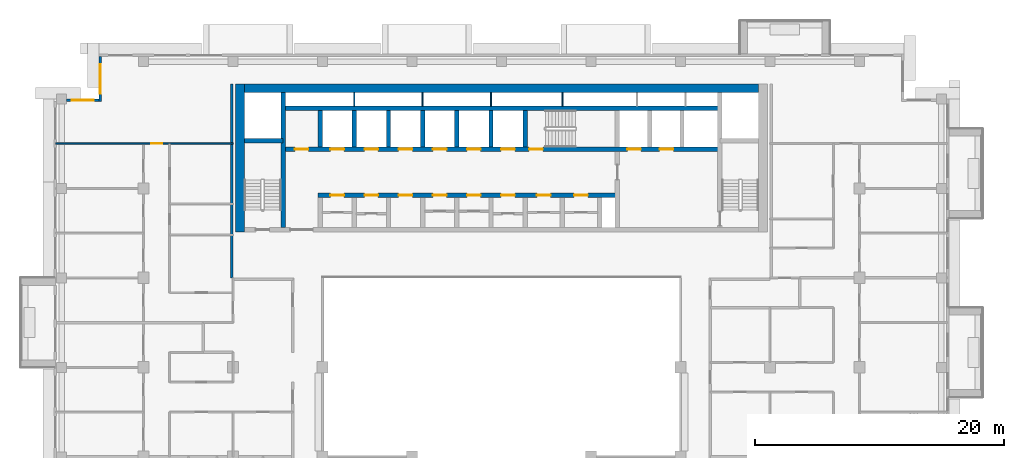
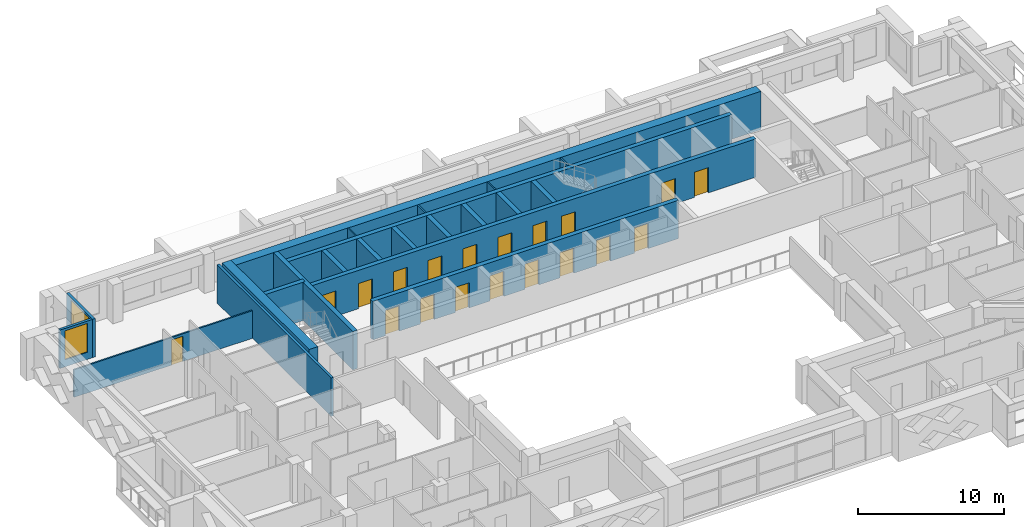
# One storey, part 10 of 20: 22 walls, 19 doors, 2 windows, 21 openings.
"""IFC4 building model written with IfcOpenShell, lengths in metres."""

from ifc_helpers import new_model, si_unit, direction, frame, frame_2d, origin, place, context, subcontext, project, spatial, rectangle, extrude, material, layer, layer_set, type_object, element, fill, save


model = new_model("IFC4")

# Units and contexts
model_context = context("Model", 3, precision=1e-05, world=origin(), true_north=direction((0.0, 1.0)))
body_context = subcontext(model_context, "Body", "Model", "MODEL_VIEW")
ifc_project = project(units=[si_unit("LENGTHUNIT", "METRE"), si_unit("AREAUNIT", "SQUARE_METRE"), si_unit("VOLUMEUNIT", "CUBIC_METRE"), si_unit("PLANEANGLEUNIT", "RADIAN"), si_unit("MASSUNIT", "GRAM", prefix="KILO")], contexts=[model_context])

# Site, building, storey
site_placement = place(None, origin())
site = spatial("IfcSite", under=ifc_project, at=site_placement, CompositionType="ELEMENT")
building_placement = place(site_placement, origin())
building = spatial("IfcBuilding", under=site, at=building_placement, Name="Saffron Iwan Residences", CompositionType="ELEMENT")
storey_placement = place(building_placement, frame((0.0, 0.0, 185.0)))
storey = spatial("IfcBuildingStorey", under=building, at=storey_placement, Name="L49", CompositionType="ELEMENT", Elevation=185.0)

# Wall, opening, window
ifc_material_1 = material(Name="Concrete C40/50", Category="concrete")
ifc_layer_1 = layer(ifc_material_1, 0.199951171875)
ifc_layer_set_1 = layer_set([ifc_layer_1], Name="Concrete C40/50")
wall_type_1 = type_object("IfcWallType", Name="EXTERNAL WALL 200", PredefinedType="SOLIDWALL", material=ifc_layer_set_1)
wall_1_placement = place(storey_placement, frame((18.10009765625, 80.199951171875, 0.0), z_axis=(0.0, 0.0, 1.0), x_axis=(0.0, -1.0, 0.0)))
wall_1 = element("IfcWall", 1, at=wall_1_placement, inside=storey, type_object=wall_type_1, Name="External wall L49 F6.0", PredefinedType="SOLIDWALL", context=body_context, shape_type="SweptSolid", body=[
    extrude(rectangle(XDim=3.599853515625, YDim=0.199951171875, at=frame_2d((1.7998046875, 0.0))), origin(), (0.0, 0.0, 1.0), 3.199951171875),
])
opening_1_placement = place(wall_1_placement, frame((0.60009765625, 0.0, 0.60009765625)))
opening_1 = element("IfcOpeningElement", 2, at=opening_1_placement, cuts=wall_1, Name="Opening W1", PredefinedType="OPENING", context=body_context, shape_type="SweptSolid", body=[
    extrude(rectangle(XDim=2.39990234375, YDim=2.39990234375, at=frame_2d((1.199951171875, 1.199951171875))), frame((0.0, 0.10986328125, 0.0), z_axis=(0.0, -1.0, 0.0), x_axis=(1.0, 0.0, 0.0)), (0.0, 0.0, 1.0), 0.219970703125),
])
ifc_material_2 = material(Name="Clear glass, laminated double glazed", Category="glass")
window_type_1 = type_object("IfcWindowType", Name="WINDOW 2400 x 2400", PartitioningType="DOUBLE_PANEL_VERTICAL", PredefinedType="WINDOW", material=ifc_material_2)
window_1_placement = place(opening_1_placement, origin())
window_1 = element("IfcWindow", 3, at=window_1_placement, inside=storey, type_object=window_type_1, Name="Window L49 F6.0", OverallHeight=2.39990234375, OverallWidth=2.39990234375, PartitioningType="DOUBLE_PANEL_VERTICAL", PredefinedType="WINDOW", context=body_context, shape_type="SweptSolid", body=[
    extrude(rectangle(XDim=2.39990234375, YDim=2.39990234375, at=frame_2d((1.199951171875, 1.199951171875))), frame((0.0, 0.030029296875, 0.0), z_axis=(0.0, -1.0, 0.0), x_axis=(1.0, 0.0, 0.0)), (0.0, 0.0, 1.0), 0.06005859375),
])
fill(opening_1, window_1)

wall_2_placement = place(storey_placement, frame((18.0, 76.699951171875, 0.0), z_axis=(0.0, 0.0, 1.0), x_axis=(-1.0, 0.0, 0.0)))
wall_2 = element("IfcWall", 4, at=wall_2_placement, inside=storey, type_object=wall_type_1, Name="External wall L49 F7.0", PredefinedType="SOLIDWALL", context=body_context, shape_type="SweptSolid", body=[
    extrude(rectangle(XDim=2.60009765625, YDim=0.199951171875, at=frame_2d((1.300048828125, 0.0))), origin(), (0.0, 0.0, 1.0), 3.199951171875),
])
opening_2_placement = place(wall_2_placement, frame((0.39990234375, 0.0, 0.60009765625)))
opening_2 = element("IfcOpeningElement", 5, at=opening_2_placement, cuts=wall_2, Name="Opening W8", PredefinedType="OPENING", context=body_context, shape_type="SweptSolid", body=[
    extrude(rectangle(XDim=1.800048828125, YDim=2.39990234375, at=frame_2d((0.89990234375, 1.199951171875))), frame((0.0, 0.10986328125, 0.0), z_axis=(0.0, -1.0, 0.0), x_axis=(1.0, 0.0, 0.0)), (0.0, 0.0, 1.0), 0.219970703125),
])
window_type_2 = type_object("IfcWindowType", Name="WINDOW 1800 x 2400", PartitioningType="DOUBLE_PANEL_VERTICAL", PredefinedType="WINDOW", material=ifc_material_2)
window_2_placement = place(opening_2_placement, origin())
window_2 = element("IfcWindow", 6, at=window_2_placement, inside=storey, type_object=window_type_2, Name="Window L49 F7.0", OverallHeight=2.39990234375, OverallWidth=1.800048828125, PartitioningType="DOUBLE_PANEL_VERTICAL", PredefinedType="WINDOW", context=body_context, shape_type="SweptSolid", body=[
    extrude(rectangle(XDim=1.800048828125, YDim=2.39990234375, at=frame_2d((0.89990234375, 1.199951171875))), frame((0.0, 0.030029296875, 0.0), z_axis=(0.0, -1.0, 0.0), x_axis=(1.0, 0.0, 0.0)), (0.0, 0.0, 1.0), 0.06005859375),
])
fill(opening_2, window_2)

# Wall, opening, door
ifc_material_3 = material(Name="Gypsum board partition")
ifc_layer_2 = layer(ifc_material_3, 0.1201171875)
ifc_layer_set_2 = layer_set([ifc_layer_2], Name="Gypsum board partition")
wall_type_2 = type_object("IfcWallType", Name="Flat partition 120", PredefinedType="PARTITIONING", material=ifc_layer_set_2)
wall_3_placement = place(storey_placement, frame((14.52490234375, 73.199951171875, 0.0), z_axis=(0.0, 0.0, 1.0), x_axis=(1.0, 0.0, 0.0)))
wall_3 = element("IfcWall", 7, at=wall_3_placement, inside=storey, type_object=wall_type_2, Name="W-L49-PART-h73.2-14.525", PredefinedType="PARTITIONING", context=body_context, shape_type="SweptSolid", body=[
    extrude(rectangle(XDim=14.275146484375, YDim=0.1201171875, at=frame_2d((7.1376953125, 0.0))), origin(), (0.0, 0.0, 1.0), 2.300048828125),
])
opening_3_placement = place(wall_3_placement, frame((7.675048828125, 0.0, 0.0)))
opening_3 = element("IfcOpeningElement", 8, at=opening_3_placement, cuts=wall_3, Name="Opening FD2", PredefinedType="OPENING", context=body_context, shape_type="SweptSolid", body=[
    extrude(rectangle(XDim=0.89990234375, YDim=2.10009765625, at=frame_2d((0.449951171875, 1.050048828125))), frame((0.0, 0.070068359375, 0.0), z_axis=(0.0, -1.0, 0.0), x_axis=(1.0, 0.0, 0.0)), (0.0, 0.0, 1.0), 0.14013671875),
])
ifc_material_4 = material(Name="Timber door", Category="wood")
door_type_1 = type_object("IfcDoorType", Name="Flat door 900", OperationType="NOTDEFINED", PredefinedType="DOOR", material=ifc_material_4)
door_1_placement = place(opening_3_placement, origin())
door_1 = element("IfcDoor", 9, at=door_1_placement, inside=storey, type_object=door_type_1, Name="Door L49-030", OperationType="SINGLE_SWING_RIGHT", OverallHeight=2.10009765625, OverallWidth=0.89990234375, PredefinedType="DOOR", context=body_context, shape_type="SweptSolid", body=[
    extrude(rectangle(XDim=0.89990234375, YDim=2.10009765625, at=frame_2d((0.449951171875, 1.050048828125))), frame((0.0, 0.02490234375, 0.0), z_axis=(0.0, -1.0, 0.0), x_axis=(1.0, 0.0, 0.0)), (0.0, 0.0, 1.0), 0.050048828125),
])
fill(opening_3, door_1)

# Walls
ifc_material_5 = material(Name="Fire-rated gypsum board wall")
ifc_layer_3 = layer(ifc_material_5, 0.199951171875)
ifc_layer_set_3 = layer_set([ifc_layer_3], Name="Fire-rated gypsum board wall")
wall_type_3 = type_object("IfcWallType", Name="Gallery wall 200", PredefinedType="SOLIDWALL", material=ifc_layer_set_3)
wall_4_placement = place(storey_placement, frame((28.699951171875, 62.39990234375, 0.0), z_axis=(0.0, 0.0, 1.0), x_axis=(0.0, 1.0, 0.0)))
element("IfcWall", 10, at=wall_4_placement, inside=storey, type_object=wall_type_3, Name="W-L49-CORR-v28.8-62.4", PredefinedType="SOLIDWALL", context=body_context, shape_type="SweptSolid", body=[
    extrude(rectangle(XDim=15.60009765625, YDim=0.199951171875, at=frame_2d((7.800048828125, 0.0))), origin(), (0.0, 0.0, 1.0), 3.199951171875),
])
ifc_material_6 = material(Name="Fire-rated plasterboard partition")
ifc_layer_4 = layer(ifc_material_6, 0.10009765625)
ifc_layer_set_4 = layer_set([ifc_layer_4], Name="Fire-rated plasterboard partition")
wall_type_4 = type_object("IfcWallType", Name="Riser partition 100", PredefinedType="PARTITIONING", material=ifc_layer_set_4)
for number, where, z_axis, x_axis, name in (
    (11, (38.550048828125, 76.22509765625, 0.0), (0.0, 0.0, 1.0), (0.0, 1.0, 0.0), "Core partition P08"),
    (12, (44.050048828125, 76.22509765625, 0.0), (0.0, 0.0, 1.0), (0.0, 1.0, 0.0), "Core partition P09"),
    (13, (49.550048828125, 76.22509765625, 0.0), (0.0, 0.0, 1.0), (0.0, 1.0, 0.0), "Core partition P10"),
    (14, (55.300048828125, 76.22509765625, 0.0), (0.0, 0.0, 1.0), (0.0, 1.0, 0.0), "Core partition P11"),
):
    element("IfcWall", number, at=place(storey_placement, frame(where, z_axis=z_axis, x_axis=x_axis)), inside=storey, type_object=wall_type_4, Name=name, PredefinedType="PARTITIONING", context=body_context, shape_type="SweptSolid", body=[
        extrude(rectangle(XDim=1.074951171875, YDim=0.10009765625, at=frame_2d((0.53759765625, 0.0))), origin(), (0.0, 0.0, 1.0), 3.199951171875),
    ])

# Wall, openings, doors
ifc_material_7 = material(Name="Concrete C50/60", Category="concrete")
ifc_layer_5 = layer(ifc_material_7, 0.35009765625)
ifc_layer_set_5 = layer_set([ifc_layer_5], Name="Concrete C50/60")
wall_type_5 = type_object("IfcWallType", Name="WALL CORE 350 C50/60 3200 HIGH", PredefinedType="SHEAR", material=ifc_layer_set_5)
wall_5_placement = place(storey_placement, frame((35.625, 69.050048828125, 0.0), z_axis=(0.0, 0.0, 1.0), x_axis=(1.0, 0.0, 0.0)))
wall_5 = element("IfcWall", 15, at=wall_5_placement, inside=storey, type_object=wall_type_5, Name="Core wall", PredefinedType="SHEAR", context=body_context, shape_type="SweptSolid", body=[
    extrude(rectangle(XDim=24.10009765625, YDim=0.35009765625, at=frame_2d((12.050048828125, 0.0))), origin(), (0.0, 0.0, 1.0), 3.199951171875),
])
opening_4_placement = place(wall_5_placement, frame((1.0, 0.0, 0.0)))
opening_4 = element("IfcOpeningElement", 16, at=opening_4_placement, cuts=wall_5, Name="Opening SR", PredefinedType="OPENING", context=body_context, shape_type="SweptSolid", body=[
    extrude(rectangle(XDim=1.10009765625, YDim=2.10009765625, at=frame_2d((0.550048828125, 1.050048828125))), frame((0.0, 0.18505859375, 0.0), z_axis=(0.0, -1.0, 0.0), x_axis=(1.0, 0.0, 0.0)), (0.0, 0.0, 1.0), 0.3701171875),
])
opening_5_placement = place(wall_5_placement, frame((3.75, 0.0, 0.0)))
opening_5 = element("IfcOpeningElement", 17, at=opening_5_placement, cuts=wall_5, Name="Opening SR", PredefinedType="OPENING", context=body_context, shape_type="SweptSolid", body=[
    extrude(rectangle(XDim=1.10009765625, YDim=2.10009765625, at=frame_2d((0.550048828125, 1.050048828125))), frame((0.0, 0.18505859375, 0.0), z_axis=(0.0, -1.0, 0.0), x_axis=(1.0, 0.0, 0.0)), (0.0, 0.0, 1.0), 0.3701171875),
])
opening_6_placement = place(wall_5_placement, frame((6.5, 0.0, 0.0)))
opening_6 = element("IfcOpeningElement", 18, at=opening_6_placement, cuts=wall_5, Name="Opening SR", PredefinedType="OPENING", context=body_context, shape_type="SweptSolid", body=[
    extrude(rectangle(XDim=1.10009765625, YDim=2.10009765625, at=frame_2d((0.550048828125, 1.050048828125))), frame((0.0, 0.18505859375, 0.0), z_axis=(0.0, -1.0, 0.0), x_axis=(1.0, 0.0, 0.0)), (0.0, 0.0, 1.0), 0.3701171875),
])
opening_7_placement = place(wall_5_placement, frame((9.25, 0.0, 0.0)))
opening_7 = element("IfcOpeningElement", 19, at=opening_7_placement, cuts=wall_5, Name="Opening SR", PredefinedType="OPENING", context=body_context, shape_type="SweptSolid", body=[
    extrude(rectangle(XDim=1.10009765625, YDim=2.10009765625, at=frame_2d((0.550048828125, 1.050048828125))), frame((0.0, 0.18505859375, 0.0), z_axis=(0.0, -1.0, 0.0), x_axis=(1.0, 0.0, 0.0)), (0.0, 0.0, 1.0), 0.3701171875),
])
opening_8_placement = place(wall_5_placement, frame((12.0, 0.0, 0.0)))
opening_8 = element("IfcOpeningElement", 20, at=opening_8_placement, cuts=wall_5, Name="Opening SR", PredefinedType="OPENING", context=body_context, shape_type="SweptSolid", body=[
    extrude(rectangle(XDim=1.10009765625, YDim=2.10009765625, at=frame_2d((0.550048828125, 1.050048828125))), frame((0.0, 0.18505859375, 0.0), z_axis=(0.0, -1.0, 0.0), x_axis=(1.0, 0.0, 0.0)), (0.0, 0.0, 1.0), 0.3701171875),
])
opening_9_placement = place(wall_5_placement, frame((14.75, 0.0, 0.0)))
opening_9 = element("IfcOpeningElement", 21, at=opening_9_placement, cuts=wall_5, Name="Opening SR", PredefinedType="OPENING", context=body_context, shape_type="SweptSolid", body=[
    extrude(rectangle(XDim=1.10009765625, YDim=2.10009765625, at=frame_2d((0.550048828125, 1.050048828125))), frame((0.0, 0.18505859375, 0.0), z_axis=(0.0, -1.0, 0.0), x_axis=(1.0, 0.0, 0.0)), (0.0, 0.0, 1.0), 0.3701171875),
])
opening_10_placement = place(wall_5_placement, frame((17.625, 0.0, 0.0)))
opening_10 = element("IfcOpeningElement", 22, at=opening_10_placement, cuts=wall_5, Name="Opening SR", PredefinedType="OPENING", context=body_context, shape_type="SweptSolid", body=[
    extrude(rectangle(XDim=1.10009765625, YDim=2.10009765625, at=frame_2d((0.550048828125, 1.050048828125))), frame((0.0, 0.18505859375, 0.0), z_axis=(0.0, -1.0, 0.0), x_axis=(1.0, 0.0, 0.0)), (0.0, 0.0, 1.0), 0.3701171875),
])
opening_11_placement = place(wall_5_placement, frame((20.625, 0.0, 0.0)))
opening_11 = element("IfcOpeningElement", 23, at=opening_11_placement, cuts=wall_5, Name="Opening SR", PredefinedType="OPENING", context=body_context, shape_type="SweptSolid", body=[
    extrude(rectangle(XDim=1.10009765625, YDim=2.10009765625, at=frame_2d((0.550048828125, 1.050048828125))), frame((0.0, 0.18505859375, 0.0), z_axis=(0.0, -1.0, 0.0), x_axis=(1.0, 0.0, 0.0)), (0.0, 0.0, 1.0), 0.3701171875),
])
ifc_material_8 = material(Name="Steel fire door", Category="steel")
door_type_2 = type_object("IfcDoorType", Name="Service door 1100", OperationType="NOTDEFINED", PredefinedType="DOOR", material=ifc_material_8)
door_2_placement = place(opening_4_placement, origin())
door_2 = element("IfcDoor", 24, at=door_2_placement, inside=storey, type_object=door_type_2, Name="Door Trolley store", OperationType="SINGLE_SWING_RIGHT", OverallHeight=2.10009765625, OverallWidth=1.10009765625, PredefinedType="DOOR", context=body_context, shape_type="SweptSolid", body=[
    extrude(rectangle(XDim=1.10009765625, YDim=2.10009765625, at=frame_2d((0.550048828125, 1.050048828125))), frame((0.0, 0.02490234375, 0.0), z_axis=(0.0, -1.0, 0.0), x_axis=(1.0, 0.0, 0.0)), (0.0, 0.0, 1.0), 0.050048828125),
])
fill(opening_4, door_2)
door_3_placement = place(opening_5_placement, origin())
door_3 = element("IfcDoor", 25, at=door_3_placement, inside=storey, type_object=door_type_2, Name="Door Communications room", OperationType="SINGLE_SWING_LEFT", OverallHeight=2.10009765625, OverallWidth=1.10009765625, PredefinedType="DOOR", context=body_context, shape_type="SweptSolid", body=[
    extrude(rectangle(XDim=1.10009765625, YDim=2.10009765625, at=frame_2d((0.550048828125, 1.050048828125))), frame((0.0, 0.02490234375, 0.0), z_axis=(0.0, -1.0, 0.0), x_axis=(1.0, 0.0, 0.0)), (0.0, 0.0, 1.0), 0.050048828125),
])
fill(opening_5, door_3)
door_4_placement = place(opening_6_placement, origin())
door_4 = element("IfcDoor", 26, at=door_4_placement, inside=storey, type_object=door_type_2, Name="Door Switch room", OperationType="SINGLE_SWING_RIGHT", OverallHeight=2.10009765625, OverallWidth=1.10009765625, PredefinedType="DOOR", context=body_context, shape_type="SweptSolid", body=[
    extrude(rectangle(XDim=1.10009765625, YDim=2.10009765625, at=frame_2d((0.550048828125, 1.050048828125))), frame((0.0, 0.02490234375, 0.0), z_axis=(0.0, -1.0, 0.0), x_axis=(1.0, 0.0, 0.0)), (0.0, 0.0, 1.0), 0.050048828125),
])
fill(opening_6, door_4)
door_5_placement = place(opening_7_placement, origin())
door_5 = element("IfcDoor", 27, at=door_5_placement, inside=storey, type_object=door_type_2, Name="Door Furniture store", OperationType="SINGLE_SWING_LEFT", OverallHeight=2.10009765625, OverallWidth=1.10009765625, PredefinedType="DOOR", context=body_context, shape_type="SweptSolid", body=[
    extrude(rectangle(XDim=1.10009765625, YDim=2.10009765625, at=frame_2d((0.550048828125, 1.050048828125))), frame((0.0, 0.02490234375, 0.0), z_axis=(0.0, -1.0, 0.0), x_axis=(1.0, 0.0, 0.0)), (0.0, 0.0, 1.0), 0.050048828125),
])
fill(opening_7, door_5)
door_6_placement = place(opening_8_placement, origin())
door_6 = element("IfcDoor", 28, at=door_6_placement, inside=storey, type_object=door_type_2, Name="Door Housekeeping store", OperationType="SINGLE_SWING_RIGHT", OverallHeight=2.10009765625, OverallWidth=1.10009765625, PredefinedType="DOOR", context=body_context, shape_type="SweptSolid", body=[
    extrude(rectangle(XDim=1.10009765625, YDim=2.10009765625, at=frame_2d((0.550048828125, 1.050048828125))), frame((0.0, 0.02490234375, 0.0), z_axis=(0.0, -1.0, 0.0), x_axis=(1.0, 0.0, 0.0)), (0.0, 0.0, 1.0), 0.050048828125),
])
fill(opening_8, door_6)
door_7_placement = place(opening_9_placement, origin())
door_7 = element("IfcDoor", 29, at=door_7_placement, inside=storey, type_object=door_type_2, Name="Door Cleaner's store", OperationType="SINGLE_SWING_LEFT", OverallHeight=2.10009765625, OverallWidth=1.10009765625, PredefinedType="DOOR", context=body_context, shape_type="SweptSolid", body=[
    extrude(rectangle(XDim=1.10009765625, YDim=2.10009765625, at=frame_2d((0.550048828125, 1.050048828125))), frame((0.0, 0.02490234375, 0.0), z_axis=(0.0, -1.0, 0.0), x_axis=(1.0, 0.0, 0.0)), (0.0, 0.0, 1.0), 0.050048828125),
])
fill(opening_9, door_7)
door_8_placement = place(opening_10_placement, origin())
door_8 = element("IfcDoor", 30, at=door_8_placement, inside=storey, type_object=door_type_2, Name="Door Electrical room", OperationType="SINGLE_SWING_RIGHT", OverallHeight=2.10009765625, OverallWidth=1.10009765625, PredefinedType="DOOR", context=body_context, shape_type="SweptSolid", body=[
    extrude(rectangle(XDim=1.10009765625, YDim=2.10009765625, at=frame_2d((0.550048828125, 1.050048828125))), frame((0.0, 0.02490234375, 0.0), z_axis=(0.0, -1.0, 0.0), x_axis=(1.0, 0.0, 0.0)), (0.0, 0.0, 1.0), 0.050048828125),
])
fill(opening_10, door_8)
door_9_placement = place(opening_11_placement, origin())
door_9 = element("IfcDoor", 31, at=door_9_placement, inside=storey, type_object=door_type_2, Name="Door Luggage store", OperationType="SINGLE_SWING_RIGHT", OverallHeight=2.10009765625, OverallWidth=1.10009765625, PredefinedType="DOOR", context=body_context, shape_type="SweptSolid", body=[
    extrude(rectangle(XDim=1.10009765625, YDim=2.10009765625, at=frame_2d((0.550048828125, 1.050048828125))), frame((0.0, 0.02490234375, 0.0), z_axis=(0.0, -1.0, 0.0), x_axis=(1.0, 0.0, 0.0)), (0.0, 0.0, 1.0), 0.050048828125),
])
fill(opening_11, door_9)

wall_6_placement = place(storey_placement, frame((32.824951171875, 72.75, 0.0), z_axis=(0.0, 0.0, 1.0), x_axis=(1.0, 0.0, 0.0)))
wall_6 = element("IfcWall", 32, at=wall_6_placement, inside=storey, type_object=wall_type_5, Name="Core wall", PredefinedType="SHEAR", context=body_context, shape_type="SweptSolid", body=[
    extrude(rectangle(XDim=35.150146484375, YDim=0.35009765625, at=frame_2d((17.5751953125, 0.0))), origin(), (0.0, 0.0, 1.0), 3.199951171875),
])
opening_12_placement = place(wall_6_placement, frame((19.800048828125, 0.0, 0.0)))
opening_12 = element("IfcOpeningElement", 33, at=opening_12_placement, cuts=wall_6, Name="Opening SD", PredefinedType="OPENING", context=body_context, shape_type="SweptSolid", body=[
    extrude(rectangle(XDim=1.10009765625, YDim=2.10009765625, at=frame_2d((0.550048828125, 1.050048828125))), frame((0.0, 0.18505859375, 0.0), z_axis=(0.0, -1.0, 0.0), x_axis=(1.0, 0.0, 0.0)), (0.0, 0.0, 1.0), 0.3701171875),
])
opening_13_placement = place(wall_6_placement, frame((27.699951171875, 0.0, 0.0)))
opening_13 = element("IfcOpeningElement", 34, at=opening_13_placement, cuts=wall_6, Name="Opening LD", PredefinedType="OPENING", context=body_context, shape_type="SweptSolid", body=[
    extrude(rectangle(XDim=1.10009765625, YDim=2.10009765625, at=frame_2d((0.550048828125, 1.050048828125))), frame((0.0, 0.18505859375, 0.0), z_axis=(0.0, -1.0, 0.0), x_axis=(1.0, 0.0, 0.0)), (0.0, 0.0, 1.0), 0.3701171875),
])
opening_14_placement = place(wall_6_placement, frame((30.300048828125, 0.0, 0.0)))
opening_14 = element("IfcOpeningElement", 35, at=opening_14_placement, cuts=wall_6, Name="Opening LD", PredefinedType="OPENING", context=body_context, shape_type="SweptSolid", body=[
    extrude(rectangle(XDim=1.10009765625, YDim=2.10009765625, at=frame_2d((0.550048828125, 1.050048828125))), frame((0.0, 0.18505859375, 0.0), z_axis=(0.0, -1.0, 0.0), x_axis=(1.0, 0.0, 0.0)), (0.0, 0.0, 1.0), 0.3701171875),
])
opening_15_placement = place(wall_6_placement, frame((3.800048828125, 0.0, 0.0)))
opening_15 = element("IfcOpeningElement", 36, at=opening_15_placement, cuts=wall_6, Name="Opening LD", PredefinedType="OPENING", context=body_context, shape_type="SweptSolid", body=[
    extrude(rectangle(XDim=1.10009765625, YDim=2.10009765625, at=frame_2d((0.550048828125, 1.050048828125))), frame((0.0, 0.18505859375, 0.0), z_axis=(0.0, -1.0, 0.0), x_axis=(1.0, 0.0, 0.0)), (0.0, 0.0, 1.0), 0.3701171875),
])
opening_16_placement = place(wall_6_placement, frame((6.550048828125, 0.0, 0.0)))
opening_16 = element("IfcOpeningElement", 37, at=opening_16_placement, cuts=wall_6, Name="Opening LD", PredefinedType="OPENING", context=body_context, shape_type="SweptSolid", body=[
    extrude(rectangle(XDim=1.10009765625, YDim=2.10009765625, at=frame_2d((0.550048828125, 1.050048828125))), frame((0.0, 0.18505859375, 0.0), z_axis=(0.0, -1.0, 0.0), x_axis=(1.0, 0.0, 0.0)), (0.0, 0.0, 1.0), 0.3701171875),
])
opening_17_placement = place(wall_6_placement, frame((9.300048828125, 0.0, 0.0)))
opening_17 = element("IfcOpeningElement", 38, at=opening_17_placement, cuts=wall_6, Name="Opening LD", PredefinedType="OPENING", context=body_context, shape_type="SweptSolid", body=[
    extrude(rectangle(XDim=1.10009765625, YDim=2.10009765625, at=frame_2d((0.550048828125, 1.050048828125))), frame((0.0, 0.18505859375, 0.0), z_axis=(0.0, -1.0, 0.0), x_axis=(1.0, 0.0, 0.0)), (0.0, 0.0, 1.0), 0.3701171875),
])
opening_18_placement = place(wall_6_placement, frame((12.050048828125, 0.0, 0.0)))
opening_18 = element("IfcOpeningElement", 39, at=opening_18_placement, cuts=wall_6, Name="Opening LD", PredefinedType="OPENING", context=body_context, shape_type="SweptSolid", body=[
    extrude(rectangle(XDim=1.10009765625, YDim=2.10009765625, at=frame_2d((0.550048828125, 1.050048828125))), frame((0.0, 0.18505859375, 0.0), z_axis=(0.0, -1.0, 0.0), x_axis=(1.0, 0.0, 0.0)), (0.0, 0.0, 1.0), 0.3701171875),
])
opening_19_placement = place(wall_6_placement, frame((14.800048828125, 0.0, 0.0)))
opening_19 = element("IfcOpeningElement", 40, at=opening_19_placement, cuts=wall_6, Name="Opening LD", PredefinedType="OPENING", context=body_context, shape_type="SweptSolid", body=[
    extrude(rectangle(XDim=1.10009765625, YDim=2.10009765625, at=frame_2d((0.550048828125, 1.050048828125))), frame((0.0, 0.18505859375, 0.0), z_axis=(0.0, -1.0, 0.0), x_axis=(1.0, 0.0, 0.0)), (0.0, 0.0, 1.0), 0.3701171875),
])
opening_20_placement = place(wall_6_placement, frame((17.550048828125, 0.0, 0.0)))
opening_20 = element("IfcOpeningElement", 41, at=opening_20_placement, cuts=wall_6, Name="Opening LD", PredefinedType="OPENING", context=body_context, shape_type="SweptSolid", body=[
    extrude(rectangle(XDim=1.10009765625, YDim=2.10009765625, at=frame_2d((0.550048828125, 1.050048828125))), frame((0.0, 0.18505859375, 0.0), z_axis=(0.0, -1.0, 0.0), x_axis=(1.0, 0.0, 0.0)), (0.0, 0.0, 1.0), 0.3701171875),
])
opening_21_placement = place(wall_6_placement, frame((0.9375, 0.0, 0.0)))
opening_21 = element("IfcOpeningElement", 42, at=opening_21_placement, cuts=wall_6, Name="Opening SR", PredefinedType="OPENING", context=body_context, shape_type="SweptSolid", body=[
    extrude(rectangle(XDim=1.10009765625, YDim=2.10009765625, at=frame_2d((0.550048828125, 1.050048828125))), frame((0.0, 0.18505859375, 0.0), z_axis=(0.0, -1.0, 0.0), x_axis=(1.0, 0.0, 0.0)), (0.0, 0.0, 1.0), 0.3701171875),
])
door_type_3 = type_object("IfcDoorType", Name="Lift landing door 1100", OperationType="SLIDING_TO_LEFT", PredefinedType="DOOR", material=ifc_material_8)
door_10_placement = place(opening_13_placement, origin())
door_10 = element("IfcDoor", 43, at=door_10_placement, inside=storey, type_object=door_type_3, Name="Landing doors FF1", OperationType="SLIDING_TO_LEFT", OverallHeight=2.10009765625, OverallWidth=1.10009765625, PredefinedType="DOOR", context=body_context, shape_type="SweptSolid", body=[
    extrude(rectangle(XDim=1.10009765625, YDim=2.10009765625, at=frame_2d((0.550048828125, 1.050048828125))), frame((0.0, 0.02490234375, 0.0), z_axis=(0.0, -1.0, 0.0), x_axis=(1.0, 0.0, 0.0)), (0.0, 0.0, 1.0), 0.050048828125),
])
fill(opening_13, door_10)
door_11_placement = place(opening_14_placement, origin())
door_11 = element("IfcDoor", 44, at=door_11_placement, inside=storey, type_object=door_type_3, Name="Landing doors FF2", OperationType="SLIDING_TO_LEFT", OverallHeight=2.10009765625, OverallWidth=1.10009765625, PredefinedType="DOOR", context=body_context, shape_type="SweptSolid", body=[
    extrude(rectangle(XDim=1.10009765625, YDim=2.10009765625, at=frame_2d((0.550048828125, 1.050048828125))), frame((0.0, 0.02490234375, 0.0), z_axis=(0.0, -1.0, 0.0), x_axis=(1.0, 0.0, 0.0)), (0.0, 0.0, 1.0), 0.050048828125),
])
fill(opening_14, door_11)
door_12_placement = place(opening_15_placement, origin())
door_12 = element("IfcDoor", 45, at=door_12_placement, inside=storey, type_object=door_type_3, Name="Landing doors HR1", OperationType="SLIDING_TO_LEFT", OverallHeight=2.10009765625, OverallWidth=1.10009765625, PredefinedType="DOOR", context=body_context, shape_type="SweptSolid", body=[
    extrude(rectangle(XDim=1.10009765625, YDim=2.10009765625, at=frame_2d((0.550048828125, 1.050048828125))), frame((0.0, 0.02490234375, 0.0), z_axis=(0.0, -1.0, 0.0), x_axis=(1.0, 0.0, 0.0)), (0.0, 0.0, 1.0), 0.050048828125),
])
fill(opening_15, door_12)
door_13_placement = place(opening_16_placement, origin())
door_13 = element("IfcDoor", 46, at=door_13_placement, inside=storey, type_object=door_type_3, Name="Landing doors HR2", OperationType="SLIDING_TO_LEFT", OverallHeight=2.10009765625, OverallWidth=1.10009765625, PredefinedType="DOOR", context=body_context, shape_type="SweptSolid", body=[
    extrude(rectangle(XDim=1.10009765625, YDim=2.10009765625, at=frame_2d((0.550048828125, 1.050048828125))), frame((0.0, 0.02490234375, 0.0), z_axis=(0.0, -1.0, 0.0), x_axis=(1.0, 0.0, 0.0)), (0.0, 0.0, 1.0), 0.050048828125),
])
fill(opening_16, door_13)
door_14_placement = place(opening_17_placement, origin())
door_14 = element("IfcDoor", 47, at=door_14_placement, inside=storey, type_object=door_type_3, Name="Landing doors HR3", OperationType="SLIDING_TO_LEFT", OverallHeight=2.10009765625, OverallWidth=1.10009765625, PredefinedType="DOOR", context=body_context, shape_type="SweptSolid", body=[
    extrude(rectangle(XDim=1.10009765625, YDim=2.10009765625, at=frame_2d((0.550048828125, 1.050048828125))), frame((0.0, 0.02490234375, 0.0), z_axis=(0.0, -1.0, 0.0), x_axis=(1.0, 0.0, 0.0)), (0.0, 0.0, 1.0), 0.050048828125),
])
fill(opening_17, door_14)
door_15_placement = place(opening_18_placement, origin())
door_15 = element("IfcDoor", 48, at=door_15_placement, inside=storey, type_object=door_type_3, Name="Landing doors HR4", OperationType="SLIDING_TO_LEFT", OverallHeight=2.10009765625, OverallWidth=1.10009765625, PredefinedType="DOOR", context=body_context, shape_type="SweptSolid", body=[
    extrude(rectangle(XDim=1.10009765625, YDim=2.10009765625, at=frame_2d((0.550048828125, 1.050048828125))), frame((0.0, 0.02490234375, 0.0), z_axis=(0.0, -1.0, 0.0), x_axis=(1.0, 0.0, 0.0)), (0.0, 0.0, 1.0), 0.050048828125),
])
fill(opening_18, door_15)
door_16_placement = place(opening_19_placement, origin())
door_16 = element("IfcDoor", 49, at=door_16_placement, inside=storey, type_object=door_type_3, Name="Landing doors HR5", OperationType="SLIDING_TO_LEFT", OverallHeight=2.10009765625, OverallWidth=1.10009765625, PredefinedType="DOOR", context=body_context, shape_type="SweptSolid", body=[
    extrude(rectangle(XDim=1.10009765625, YDim=2.10009765625, at=frame_2d((0.550048828125, 1.050048828125))), frame((0.0, 0.02490234375, 0.0), z_axis=(0.0, -1.0, 0.0), x_axis=(1.0, 0.0, 0.0)), (0.0, 0.0, 1.0), 0.050048828125),
])
fill(opening_19, door_16)
door_17_placement = place(opening_20_placement, origin())
door_17 = element("IfcDoor", 50, at=door_17_placement, inside=storey, type_object=door_type_3, Name="Landing doors HR6", OperationType="SLIDING_TO_LEFT", OverallHeight=2.10009765625, OverallWidth=1.10009765625, PredefinedType="DOOR", context=body_context, shape_type="SweptSolid", body=[
    extrude(rectangle(XDim=1.10009765625, YDim=2.10009765625, at=frame_2d((0.550048828125, 1.050048828125))), frame((0.0, 0.02490234375, 0.0), z_axis=(0.0, -1.0, 0.0), x_axis=(1.0, 0.0, 0.0)), (0.0, 0.0, 1.0), 0.050048828125),
])
fill(opening_20, door_17)
door_18_placement = place(opening_21_placement, origin())
door_18 = element("IfcDoor", 51, at=door_18_placement, inside=storey, type_object=door_type_2, Name="Door Cleaner's store", OperationType="SINGLE_SWING_LEFT", OverallHeight=2.10009765625, OverallWidth=1.10009765625, PredefinedType="DOOR", context=body_context, shape_type="SweptSolid", body=[
    extrude(rectangle(XDim=1.10009765625, YDim=2.10009765625, at=frame_2d((0.550048828125, 1.050048828125))), frame((0.0, 0.02490234375, 0.0), z_axis=(0.0, -1.0, 0.0), x_axis=(1.0, 0.0, 0.0)), (0.0, 0.0, 1.0), 0.050048828125),
])
fill(opening_21, door_18)
door_type_4 = type_object("IfcDoorType", Name="Stair door 1100", OperationType="NOTDEFINED", PredefinedType="DOOR", material=ifc_material_8)
door_19_placement = place(opening_12_placement, origin())
door_19 = element("IfcDoor", 52, at=door_19_placement, inside=storey, type_object=door_type_4, Name="Stair door ST-C", OperationType="SINGLE_SWING_LEFT", OverallHeight=2.10009765625, OverallWidth=1.10009765625, PredefinedType="DOOR", context=body_context, shape_type="SweptSolid", body=[
    extrude(rectangle(XDim=1.10009765625, YDim=2.10009765625, at=frame_2d((0.550048828125, 1.050048828125))), frame((0.0, 0.02490234375, 0.0), z_axis=(0.0, -1.0, 0.0), x_axis=(1.0, 0.0, 0.0)), (0.0, 0.0, 1.0), 0.050048828125),
])
fill(opening_12, door_19)

# Walls
wall_7_placement = place(storey_placement, frame((32.824951171875, 76.050048828125, 0.0), z_axis=(0.0, 0.0, 1.0), x_axis=(1.0, 0.0, 0.0)))
element("IfcWall", 53, at=wall_7_placement, inside=storey, type_object=wall_type_5, Name="Core wall", PredefinedType="SHEAR", context=body_context, shape_type="SweptSolid", body=[
    extrude(rectangle(XDim=35.150146484375, YDim=0.35009765625, at=frame_2d((17.5751953125, 0.0))), origin(), (0.0, 0.0, 1.0), 3.199951171875),
])
wall_8_placement = place(storey_placement, frame((29.699951171875, 73.425048828125, 0.0), z_axis=(0.0, 0.0, 1.0), x_axis=(1.0, 0.0, 0.0)))
element("IfcWall", 54, at=wall_8_placement, inside=storey, type_object=wall_type_5, Name="Core wall", PredefinedType="SHEAR", context=body_context, shape_type="SweptSolid", body=[
    extrude(rectangle(XDim=3.125, YDim=0.35009765625, at=frame_2d((1.5625, 0.0))), origin(), (0.0, 0.0, 1.0), 3.199951171875),
])
wall_9_placement = place(storey_placement, frame((32.824951171875, 66.449951171875, 0.0), z_axis=(0.0, 0.0, 1.0), x_axis=(0.0, 1.0, 0.0)))
element("IfcWall", 55, at=wall_9_placement, inside=storey, type_object=wall_type_5, Name="Core wall", PredefinedType="SHEAR", context=body_context, shape_type="SweptSolid", body=[
    extrude(rectangle(XDim=10.85009765625, YDim=0.35009765625, at=frame_2d((5.425048828125, 0.0))), origin(), (0.0, 0.0, 1.0), 3.199951171875),
])
for number, where, z_axis, x_axis, name in (
    (56, (35.800048828125, 72.925048828125, 0.0), (0.0, 0.0, 1.0), (0.0, 1.0, 0.0), "Core wall"),
    (57, (38.550048828125, 72.925048828125, 0.0), (0.0, 0.0, 1.0), (0.0, 1.0, 0.0), "Core wall"),
    (58, (41.300048828125, 72.925048828125, 0.0), (0.0, 0.0, 1.0), (0.0, 1.0, 0.0), "Core wall"),
    (59, (44.050048828125, 72.925048828125, 0.0), (0.0, 0.0, 1.0), (0.0, 1.0, 0.0), "Core wall"),
    (60, (46.800048828125, 72.925048828125, 0.0), (0.0, 0.0, 1.0), (0.0, 1.0, 0.0), "Core wall"),
    (61, (49.550048828125, 72.925048828125, 0.0), (0.0, 0.0, 1.0), (0.0, 1.0, 0.0), "Core wall"),
    (62, (52.300048828125, 72.925048828125, 0.0), (0.0, 0.0, 1.0), (0.0, 1.0, 0.0), "Core wall"),
):
    element("IfcWall", number, at=place(storey_placement, frame(where, z_axis=z_axis, x_axis=x_axis)), inside=storey, type_object=wall_type_5, Name=name, PredefinedType="SHEAR", context=body_context, shape_type="SweptSolid", body=[
        extrude(rectangle(XDim=2.949951171875, YDim=0.35009765625, at=frame_2d((1.47509765625, 0.0))), origin(), (0.0, 0.0, 1.0), 3.199951171875),
    ])
ifc_layer_6 = layer(ifc_material_7, 0.699951171875)
ifc_layer_set_6 = layer_set([ifc_layer_6], Name="Concrete C50/60")
wall_type_6 = type_object("IfcWallType", Name="WALL CORE 700 C50/60 3200 HIGH", PredefinedType="SHEAR", material=ifc_layer_set_6)
wall_10_placement = place(storey_placement, frame((29.35009765625, 66.10009765625, 0.0), z_axis=(0.0, 0.0, 1.0), x_axis=(0.0, 1.0, 0.0)))
element("IfcWall", 63, at=wall_10_placement, inside=storey, type_object=wall_type_6, Name="Core wall", PredefinedType="SHEAR", context=body_context, shape_type="SweptSolid", body=[
    extrude(rectangle(XDim=11.89990234375, YDim=0.699951171875, at=frame_2d((5.949951171875, 0.0))), origin(), (0.0, 0.0, 1.0), 3.199951171875),
])
wall_11_placement = place(storey_placement, frame((29.699951171875, 77.64990234375, 0.0), z_axis=(0.0, 0.0, 1.0), x_axis=(1.0, 0.0, 0.0)))
element("IfcWall", 64, at=wall_11_placement, inside=storey, type_object=wall_type_6, Name="Core wall", PredefinedType="SHEAR", context=body_context, shape_type="SweptSolid", body=[
    extrude(rectangle(XDim=41.400146484375, YDim=0.699951171875, at=frame_2d((20.7001953125, 0.0))), origin(), (0.0, 0.0, 1.0), 3.199951171875),
])

save(model, "model.ifc")
